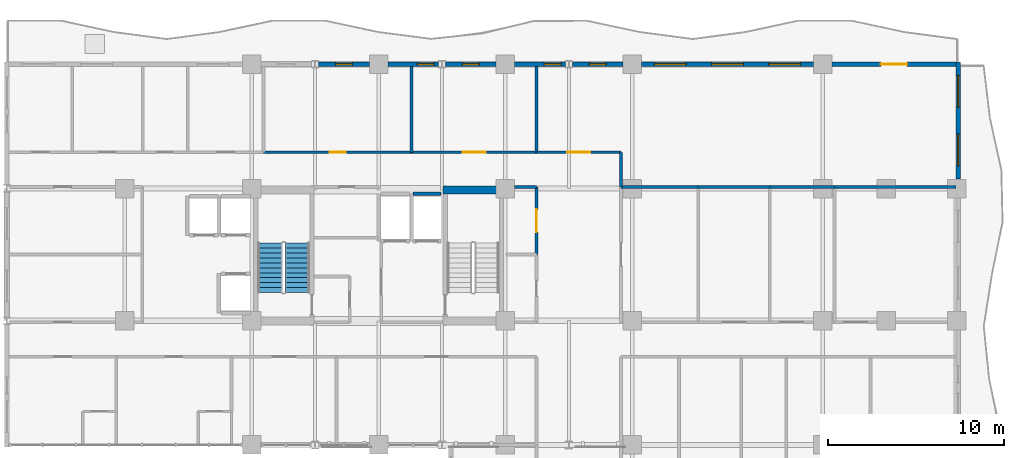
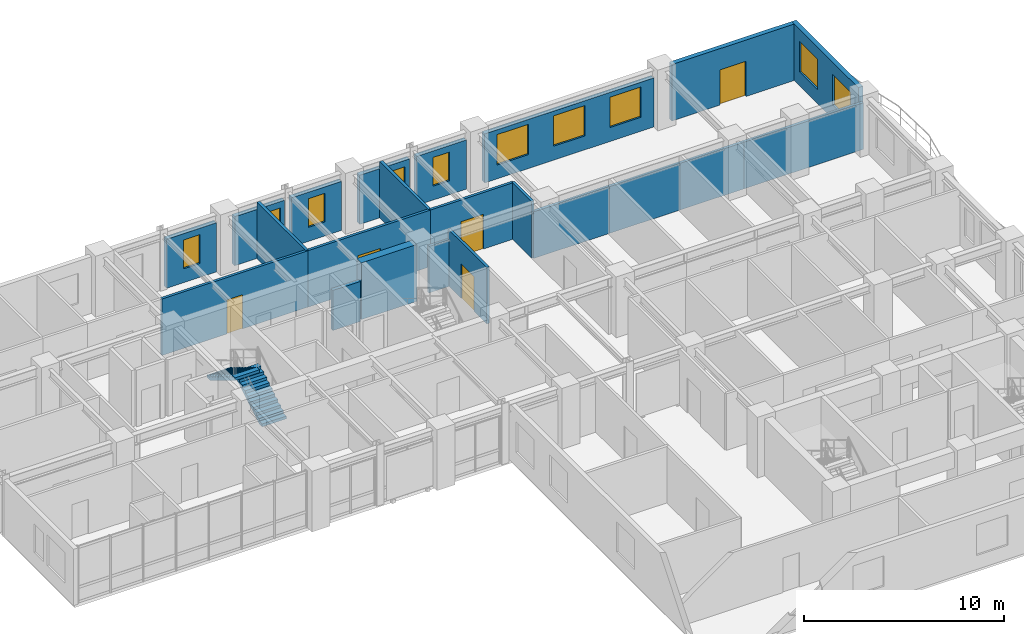
# One storey, part 13 of 17: 22 walls, 10 windows, 5 doors, 2 stair flights, 15 openings, 1 element without a shape of its own.
"""IFC4 building model written with IfcOpenShell, lengths in metres."""

from ifc_helpers import new_model, si_unit, direction, frame, frame_2d, origin, place, context, subcontext, project, spatial, polyline, rectangle, outline, extrude, material, layer, layer_set, type_object, element, fill, aggregate, save


model = new_model("IFC4")

# Units and contexts
model_context = context("Model", 3, precision=1e-05, world=origin(), true_north=direction((0.0, 1.0)))
body_context = subcontext(model_context, "Body", "Model", "MODEL_VIEW")
ifc_project = project(units=[si_unit("LENGTHUNIT", "METRE"), si_unit("AREAUNIT", "SQUARE_METRE"), si_unit("VOLUMEUNIT", "CUBIC_METRE"), si_unit("PLANEANGLEUNIT", "RADIAN"), si_unit("MASSUNIT", "GRAM", prefix="KILO")], contexts=[model_context])

# Site, building, storey
site_placement = place(None, origin())
site = spatial("IfcSite", under=ifc_project, at=site_placement, CompositionType="ELEMENT")
building_placement = place(site_placement, origin())
building = spatial("IfcBuilding", under=site, at=building_placement, Name="Kaliganga Portal Commons", CompositionType="ELEMENT")
storey_placement = place(building_placement, frame((0.0, 0.0, 143.89990234375)))
storey = spatial("IfcBuildingStorey", under=building, at=storey_placement, Name="L36", CompositionType="ELEMENT", Elevation=143.89990234375)

# Wall
ifc_material_1 = material(Name="Concrete C60/75", Category="concrete")
ifc_layer_1 = layer(ifc_material_1, 0.449951171875)
ifc_layer_set_1 = layer_set([ifc_layer_1], Name="Concrete C60/75")
wall_type_1 = type_object("IfcWallType", Name="WL-CORE-450", PredefinedType="SHEAR", material=ifc_layer_set_1)
wall_1_placement = place(storey_placement, frame((25.25, 36.074951171875, 0.0), z_axis=(0.0, 0.0, 1.0), x_axis=(1.0, 0.0, 0.0)))
element("IfcWall", 1, at=wall_1_placement, inside=storey, type_object=wall_type_1, Name="Core A N-East Shear Wall L36", PredefinedType="SHEAR", context=body_context, shape_type="SweptSolid", body=[
    extrude(rectangle(XDim=3.199951171875, YDim=0.449951171875, at=frame_2d((1.60009765625, 0.0))), origin(), (0.0, 0.0, 1.0), 3.460205078125),
])

# Wall, openings, windows
ifc_material_2 = material(Name="Insulated Aluminium-Clad Spandrel Assembly", Category="aluminium")
ifc_layer_2 = layer(ifc_material_2, 0.260009765625)
ifc_layer_set_2 = layer_set([ifc_layer_2], Name="Insulated Aluminium-Clad Spandrel Assembly")
wall_type_2 = type_object("IfcWallType", Name="WL-EXT-SPAND-260", PredefinedType="STANDARD", material=ifc_layer_set_2)
wall_2_placement = place(storey_placement, frame((54.5, 43.330078125, 0.0), z_axis=(0.0, 0.0, 1.0), x_axis=(0.0, -1.0, 0.0)))
wall_2 = element("IfcWall", 2, at=wall_2_placement, inside=storey, type_object=wall_type_2, Name="Exterior Envelope Wall L36 P1-E01-S6", PredefinedType="STANDARD", context=body_context, shape_type="SweptSolid", body=[
    extrude(rectangle(XDim=6.654052734375, YDim=0.260009765625, at=frame_2d((3.3271484375, 0.0))), origin(), (0.0, 0.0, 1.0), 3.440185546875),
])
opening_1_placement = place(wall_2_placement, frame((0.763427734375, 0.0, 0.85009765625)))
opening_1 = element("IfcOpeningElement", 3, at=opening_1_placement, cuts=wall_2, Name="Opening W-01", PredefinedType="OPENING", context=body_context, shape_type="SweptSolid", body=[
    extrude(rectangle(XDim=1.800048828125, YDim=1.85009765625, at=frame_2d((0.89990234375, 0.925048828125))), frame((0.0, 0.14013671875, 0.0), z_axis=(0.0, -1.0, 0.0), x_axis=(1.0, 0.0, 0.0)), (0.0, 0.0, 1.0), 0.280029296875),
])
opening_2_placement = place(wall_2_placement, frame((4.090576171875, 0.0, 0.85009765625)))
opening_2 = element("IfcOpeningElement", 4, at=opening_2_placement, cuts=wall_2, Name="Opening W-01", PredefinedType="OPENING", context=body_context, shape_type="SweptSolid", body=[
    extrude(rectangle(XDim=1.800048828125, YDim=1.85009765625, at=frame_2d((0.89990234375, 0.925048828125))), frame((0.0, 0.14013671875, 0.0), z_axis=(0.0, -1.0, 0.0), x_axis=(1.0, 0.0, 0.0)), (0.0, 0.0, 1.0), 0.280029296875),
])
ifc_material_3 = material(Name="Thermally Broken Aluminium and Low-E Double Glazing", Category="aluminium")
window_type_1 = type_object("IfcWindowType", Name="WIN-STD-1800", PartitioningType="DOUBLE_PANEL_VERTICAL", PredefinedType="WINDOW", material=ifc_material_3)
window_1_placement = place(opening_1_placement, origin())
window_1 = element("IfcWindow", 5, at=window_1_placement, inside=storey, type_object=window_type_1, Name="Facade Window L36-P1E01S6-00", OverallHeight=1.85009765625, OverallWidth=1.800048828125, PartitioningType="SINGLE_PANEL", PredefinedType="WINDOW", context=body_context, shape_type="SweptSolid", body=[
    extrude(rectangle(XDim=1.800048828125, YDim=1.85009765625, at=frame_2d((0.89990234375, 0.925048828125))), frame((0.0, 0.030029296875, 0.0), z_axis=(0.0, -1.0, 0.0), x_axis=(1.0, 0.0, 0.0)), (0.0, 0.0, 1.0), 0.06005859375),
])
fill(opening_1, window_1)
window_2_placement = place(opening_2_placement, origin())
window_2 = element("IfcWindow", 6, at=window_2_placement, inside=storey, type_object=window_type_1, Name="Facade Window L36-P1E01S6-01", OverallHeight=1.85009765625, OverallWidth=1.800048828125, PartitioningType="SINGLE_PANEL", PredefinedType="WINDOW", context=body_context, shape_type="SweptSolid", body=[
    extrude(rectangle(XDim=1.800048828125, YDim=1.85009765625, at=frame_2d((0.89990234375, 0.925048828125))), frame((0.0, 0.030029296875, 0.0), z_axis=(0.0, -1.0, 0.0), x_axis=(1.0, 0.0, 0.0)), (0.0, 0.0, 1.0), 0.06005859375),
])
fill(opening_2, window_2)

# Wall, opening, door
wall_3_placement = place(storey_placement, frame((47.325927734375, 43.199951171875, 0.0), z_axis=(0.0, 0.0, 1.0), x_axis=(1.0, 0.0, 0.0)))
wall_3 = element("IfcWall", 7, at=wall_3_placement, inside=storey, type_object=wall_type_2, Name="Exterior Envelope Wall L36 P1-E02-S1", PredefinedType="STANDARD", context=body_context, shape_type="SweptSolid", body=[
    extrude(rectangle(XDim=7.0390625, YDim=0.260009765625, at=frame_2d((3.51953125, 0.0))), origin(), (0.0, 0.0, 1.0), 3.440185546875),
])
opening_3_placement = place(wall_3_placement, frame((2.77001953125, 0.0, 0.0)))
opening_3 = element("IfcOpeningElement", 8, at=opening_3_placement, cuts=wall_3, Name="Opening BD-01", PredefinedType="OPENING", context=body_context, shape_type="SweptSolid", body=[
    extrude(rectangle(XDim=1.5, YDim=2.14990234375, at=frame_2d((0.75, 1.074951171875))), frame((0.0, 0.14013671875, 0.0), z_axis=(0.0, -1.0, 0.0), x_axis=(1.0, 0.0, 0.0)), (0.0, 0.0, 1.0), 0.280029296875),
])
ifc_material_4 = material(Name="Anodized Aluminium and Laminated Safety Glass", Category="aluminium")
door_type_1 = type_object("IfcDoorType", Name="DR-BALC-1500", OperationType="SLIDING_TO_LEFT", PredefinedType="DOOR", material=ifc_material_4)
door_1_placement = place(opening_3_placement, origin())
door_1 = element("IfcDoor", 9, at=door_1_placement, inside=storey, type_object=door_type_1, Name="Balcony Sliding Door L36 balc_north", OperationType="SLIDING_TO_LEFT", OverallHeight=2.14990234375, OverallWidth=1.5, PredefinedType="DOOR", context=body_context, shape_type="SweptSolid", body=[
    extrude(rectangle(XDim=1.5, YDim=2.14990234375, at=frame_2d((0.75, 1.074951171875))), frame((0.0, 0.02490234375, 0.0), z_axis=(0.0, -1.0, 0.0), x_axis=(1.0, 0.0, 0.0)), (0.0, 0.0, 1.0), 0.050048828125),
])
fill(opening_3, door_1)

# Wall, openings, windows
wall_4_placement = place(storey_placement, frame((36.52587890625, 43.199951171875, 0.0), z_axis=(0.0, 0.0, 1.0), x_axis=(1.0, 0.0, 0.0)))
wall_4 = element("IfcWall", 10, at=wall_4_placement, inside=storey, type_object=wall_type_2, Name="Exterior Envelope Wall L36 P1-E02-S2", PredefinedType="STANDARD", context=body_context, shape_type="SweptSolid", body=[
    extrude(rectangle(XDim=9.748046875, YDim=0.260009765625, at=frame_2d((4.8740234375, 0.0))), origin(), (0.0, 0.0, 1.0), 2.989990234375),
])
opening_4_placement = place(wall_4_placement, frame((0.724609375, 0.0, 0.85009765625)))
opening_4 = element("IfcOpeningElement", 11, at=opening_4_placement, cuts=wall_4, Name="Opening W-01", PredefinedType="OPENING", context=body_context, shape_type="SweptSolid", body=[
    extrude(rectangle(XDim=1.800048828125, YDim=1.85009765625, at=frame_2d((0.89990234375, 0.925048828125))), frame((0.0, 0.14013671875, 0.0), z_axis=(0.0, -1.0, 0.0), x_axis=(1.0, 0.0, 0.0)), (0.0, 0.0, 1.0), 0.280029296875),
])
opening_5_placement = place(wall_4_placement, frame((3.97412109375, 0.0, 0.85009765625)))
opening_5 = element("IfcOpeningElement", 12, at=opening_5_placement, cuts=wall_4, Name="Opening W-01", PredefinedType="OPENING", context=body_context, shape_type="SweptSolid", body=[
    extrude(rectangle(XDim=1.800048828125, YDim=1.85009765625, at=frame_2d((0.89990234375, 0.925048828125))), frame((0.0, 0.14013671875, 0.0), z_axis=(0.0, -1.0, 0.0), x_axis=(1.0, 0.0, 0.0)), (0.0, 0.0, 1.0), 0.280029296875),
])
opening_6_placement = place(wall_4_placement, frame((7.223388671875, 0.0, 0.85009765625)))
opening_6 = element("IfcOpeningElement", 13, at=opening_6_placement, cuts=wall_4, Name="Opening W-01", PredefinedType="OPENING", context=body_context, shape_type="SweptSolid", body=[
    extrude(rectangle(XDim=1.800048828125, YDim=1.85009765625, at=frame_2d((0.89990234375, 0.925048828125))), frame((0.0, 0.14013671875, 0.0), z_axis=(0.0, -1.0, 0.0), x_axis=(1.0, 0.0, 0.0)), (0.0, 0.0, 1.0), 0.280029296875),
])
window_3_placement = place(opening_4_placement, origin())
window_3 = element("IfcWindow", 14, at=window_3_placement, inside=storey, type_object=window_type_1, Name="Facade Window L36-P1E02S2-00", OverallHeight=1.85009765625, OverallWidth=1.800048828125, PartitioningType="SINGLE_PANEL", PredefinedType="WINDOW", context=body_context, shape_type="SweptSolid", body=[
    extrude(rectangle(XDim=1.800048828125, YDim=1.85009765625, at=frame_2d((0.89990234375, 0.925048828125))), frame((0.0, 0.030029296875, 0.0), z_axis=(0.0, -1.0, 0.0), x_axis=(1.0, 0.0, 0.0)), (0.0, 0.0, 1.0), 0.06005859375),
])
fill(opening_4, window_3)
window_4_placement = place(opening_5_placement, origin())
window_4 = element("IfcWindow", 15, at=window_4_placement, inside=storey, type_object=window_type_1, Name="Facade Window L36-P1E02S2-01", OverallHeight=1.85009765625, OverallWidth=1.800048828125, PartitioningType="SINGLE_PANEL", PredefinedType="WINDOW", context=body_context, shape_type="SweptSolid", body=[
    extrude(rectangle(XDim=1.800048828125, YDim=1.85009765625, at=frame_2d((0.89990234375, 0.925048828125))), frame((0.0, 0.030029296875, 0.0), z_axis=(0.0, -1.0, 0.0), x_axis=(1.0, 0.0, 0.0)), (0.0, 0.0, 1.0), 0.06005859375),
])
fill(opening_5, window_4)
window_5_placement = place(opening_6_placement, origin())
window_5 = element("IfcWindow", 16, at=window_5_placement, inside=storey, type_object=window_type_1, Name="Facade Window L36-P1E02S2-02", OverallHeight=1.85009765625, OverallWidth=1.800048828125, PartitioningType="SINGLE_PANEL", PredefinedType="WINDOW", context=body_context, shape_type="SweptSolid", body=[
    extrude(rectangle(XDim=1.800048828125, YDim=1.85009765625, at=frame_2d((0.89990234375, 0.925048828125))), frame((0.0, 0.030029296875, 0.0), z_axis=(0.0, -1.0, 0.0), x_axis=(1.0, 0.0, 0.0)), (0.0, 0.0, 1.0), 0.06005859375),
])
fill(opening_6, window_5)

# Wall, opening, window
wall_5_placement = place(storey_placement, frame((32.60302734375, 43.199951171875, 0.0), z_axis=(0.0, 0.0, 1.0), x_axis=(1.0, 0.0, 0.0)))
wall_5 = element("IfcWall", 17, at=wall_5_placement, inside=storey, type_object=wall_type_2, Name="Exterior Envelope Wall L36 P1-E02-S3", PredefinedType="STANDARD", context=body_context, shape_type="SweptSolid", body=[
    extrude(rectangle(XDim=2.87109375, YDim=0.260009765625, at=frame_2d((1.435546875, 0.0))), origin(), (0.0, 0.0, 1.0), 2.989990234375),
])
opening_7_placement = place(wall_5_placement, frame((0.96044921875, 0.0, 0.85009765625)))
opening_7 = element("IfcOpeningElement", 18, at=opening_7_placement, cuts=wall_5, Name="Opening W-04", PredefinedType="OPENING", context=body_context, shape_type="SweptSolid", body=[
    extrude(rectangle(XDim=0.949951171875, YDim=1.75, at=frame_2d((0.47509765625, 0.875))), frame((0.0, 0.14013671875, 0.0), z_axis=(0.0, -1.0, 0.0), x_axis=(1.0, 0.0, 0.0)), (0.0, 0.0, 1.0), 0.280029296875),
])
window_type_2 = type_object("IfcWindowType", Name="WIN-NARROW-950", PartitioningType="SINGLE_PANEL", PredefinedType="WINDOW", material=ifc_material_3)
window_6_placement = place(opening_7_placement, origin())
window_6 = element("IfcWindow", 19, at=window_6_placement, inside=storey, type_object=window_type_2, Name="Facade Window L36-P1E02S3-00", OverallHeight=1.75, OverallWidth=0.949951171875, PartitioningType="SINGLE_PANEL", PredefinedType="WINDOW", context=body_context, shape_type="SweptSolid", body=[
    extrude(rectangle(XDim=0.949951171875, YDim=1.75, at=frame_2d((0.47509765625, 0.875))), frame((0.0, 0.030029296875, 0.0), z_axis=(0.0, -1.0, 0.0), x_axis=(1.0, 0.0, 0.0)), (0.0, 0.0, 1.0), 0.06005859375),
])
fill(opening_7, window_6)

wall_6_placement = place(storey_placement, frame((29.325927734375, 43.199951171875, 0.0), z_axis=(0.0, 0.0, 1.0), x_axis=(1.0, 0.0, 0.0)))
wall_6 = element("IfcWall", 20, at=wall_6_placement, inside=storey, type_object=wall_type_2, Name="Exterior Envelope Wall L36 P1-E02-S4", PredefinedType="STANDARD", context=body_context, shape_type="SweptSolid", body=[
    extrude(rectangle(XDim=2.87109375, YDim=0.260009765625, at=frame_2d((1.435546875, 0.0))), origin(), (0.0, 0.0, 1.0), 2.989990234375),
])
opening_8_placement = place(wall_6_placement, frame((1.672607421875, 0.0, 0.85009765625)))
opening_8 = element("IfcOpeningElement", 21, at=opening_8_placement, cuts=wall_6, Name="Opening W-04", PredefinedType="OPENING", context=body_context, shape_type="SweptSolid", body=[
    extrude(rectangle(XDim=0.949951171875, YDim=1.75, at=frame_2d((0.47509765625, 0.875))), frame((0.0, 0.14013671875, 0.0), z_axis=(0.0, -1.0, 0.0), x_axis=(1.0, 0.0, 0.0)), (0.0, 0.0, 1.0), 0.280029296875),
])
window_7_placement = place(opening_8_placement, origin())
window_7 = element("IfcWindow", 22, at=window_7_placement, inside=storey, type_object=window_type_2, Name="Facade Window L36-P1E02S4-N2", OverallHeight=1.75, OverallWidth=0.949951171875, PartitioningType="SINGLE_PANEL", PredefinedType="WINDOW", context=body_context, shape_type="SweptSolid", body=[
    extrude(rectangle(XDim=0.949951171875, YDim=1.75, at=frame_2d((0.47509765625, 0.875))), frame((0.0, 0.030029296875, 0.0), z_axis=(0.0, -1.0, 0.0), x_axis=(1.0, 0.0, 0.0)), (0.0, 0.0, 1.0), 0.06005859375),
])
fill(opening_8, window_7)

wall_7_placement = place(storey_placement, frame((25.403076171875, 43.199951171875, 0.0), z_axis=(0.0, 0.0, 1.0), x_axis=(1.0, 0.0, 0.0)))
wall_7 = element("IfcWall", 23, at=wall_7_placement, inside=storey, type_object=wall_type_2, Name="Exterior Envelope Wall L36 P1-E02-S5", PredefinedType="STANDARD", context=body_context, shape_type="SweptSolid", body=[
    extrude(rectangle(XDim=2.870849609375, YDim=0.260009765625, at=frame_2d((1.435546875, 0.0))), origin(), (0.0, 0.0, 1.0), 2.989990234375),
])
opening_9_placement = place(wall_7_placement, frame((0.96044921875, 0.0, 0.85009765625)))
opening_9 = element("IfcOpeningElement", 24, at=opening_9_placement, cuts=wall_7, Name="Opening W-04", PredefinedType="OPENING", context=body_context, shape_type="SweptSolid", body=[
    extrude(rectangle(XDim=0.949951171875, YDim=1.75, at=frame_2d((0.47509765625, 0.875))), frame((0.0, 0.14013671875, 0.0), z_axis=(0.0, -1.0, 0.0), x_axis=(1.0, 0.0, 0.0)), (0.0, 0.0, 1.0), 0.280029296875),
])
window_8_placement = place(opening_9_placement, origin())
window_8 = element("IfcWindow", 25, at=window_8_placement, inside=storey, type_object=window_type_2, Name="Facade Window L36-P1E02S5-00", OverallHeight=1.75, OverallWidth=0.949951171875, PartitioningType="SINGLE_PANEL", PredefinedType="WINDOW", context=body_context, shape_type="SweptSolid", body=[
    extrude(rectangle(XDim=0.949951171875, YDim=1.75, at=frame_2d((0.47509765625, 0.875))), frame((0.0, 0.030029296875, 0.0), z_axis=(0.0, -1.0, 0.0), x_axis=(1.0, 0.0, 0.0)), (0.0, 0.0, 1.0), 0.06005859375),
])
fill(opening_9, window_8)

wall_8_placement = place(storey_placement, frame((22.1259765625, 43.199951171875, 0.0), z_axis=(0.0, 0.0, 1.0), x_axis=(1.0, 0.0, 0.0)))
wall_8 = element("IfcWall", 26, at=wall_8_placement, inside=storey, type_object=wall_type_2, Name="Exterior Envelope Wall L36 P1-E02-S6", PredefinedType="STANDARD", context=body_context, shape_type="SweptSolid", body=[
    extrude(rectangle(XDim=2.87109375, YDim=0.260009765625, at=frame_2d((1.435546875, 0.0))), origin(), (0.0, 0.0, 1.0), 2.989990234375),
])
opening_10_placement = place(wall_8_placement, frame((1.672607421875, 0.0, 0.85009765625)))
opening_10 = element("IfcOpeningElement", 27, at=opening_10_placement, cuts=wall_8, Name="Opening W-04", PredefinedType="OPENING", context=body_context, shape_type="SweptSolid", body=[
    extrude(rectangle(XDim=0.949951171875, YDim=1.75, at=frame_2d((0.47509765625, 0.875))), frame((0.0, 0.14013671875, 0.0), z_axis=(0.0, -1.0, 0.0), x_axis=(1.0, 0.0, 0.0)), (0.0, 0.0, 1.0), 0.280029296875),
])
window_9_placement = place(opening_10_placement, origin())
window_9 = element("IfcWindow", 28, at=window_9_placement, inside=storey, type_object=window_type_2, Name="Facade Window L36-P1E02S6-N2", OverallHeight=1.75, OverallWidth=0.949951171875, PartitioningType="SINGLE_PANEL", PredefinedType="WINDOW", context=body_context, shape_type="SweptSolid", body=[
    extrude(rectangle(XDim=0.949951171875, YDim=1.75, at=frame_2d((0.47509765625, 0.875))), frame((0.0, 0.030029296875, 0.0), z_axis=(0.0, -1.0, 0.0), x_axis=(1.0, 0.0, 0.0)), (0.0, 0.0, 1.0), 0.06005859375),
])
fill(opening_10, window_9)

wall_9_placement = place(storey_placement, frame((18.202880859375, 43.199951171875, 0.0), z_axis=(0.0, 0.0, 1.0), x_axis=(1.0, 0.0, 0.0)))
wall_9 = element("IfcWall", 29, at=wall_9_placement, inside=storey, type_object=wall_type_2, Name="Exterior Envelope Wall L36 P1-E02-S7", PredefinedType="STANDARD", context=body_context, shape_type="SweptSolid", body=[
    extrude(rectangle(XDim=2.87109375, YDim=0.260009765625, at=frame_2d((1.435546875, 0.0))), origin(), (0.0, 0.0, 1.0), 2.989990234375),
])
opening_11_placement = place(wall_9_placement, frame((0.96044921875, 0.0, 0.85009765625)))
opening_11 = element("IfcOpeningElement", 30, at=opening_11_placement, cuts=wall_9, Name="Opening W-04", PredefinedType="OPENING", context=body_context, shape_type="SweptSolid", body=[
    extrude(rectangle(XDim=0.949951171875, YDim=1.75, at=frame_2d((0.47509765625, 0.875))), frame((0.0, 0.14013671875, 0.0), z_axis=(0.0, -1.0, 0.0), x_axis=(1.0, 0.0, 0.0)), (0.0, 0.0, 1.0), 0.280029296875),
])
window_10_placement = place(opening_11_placement, origin())
window_10 = element("IfcWindow", 31, at=window_10_placement, inside=storey, type_object=window_type_2, Name="Facade Window L36-P1E02S7-00", OverallHeight=1.75, OverallWidth=0.949951171875, PartitioningType="SINGLE_PANEL", PredefinedType="WINDOW", context=body_context, shape_type="SweptSolid", body=[
    extrude(rectangle(XDim=0.949951171875, YDim=1.75, at=frame_2d((0.47509765625, 0.875))), frame((0.0, 0.030029296875, 0.0), z_axis=(0.0, -1.0, 0.0), x_axis=(1.0, 0.0, 0.0)), (0.0, 0.0, 1.0), 0.06005859375),
])
fill(opening_11, window_10)

# Wall, opening, door
ifc_material_5 = material(Name="Fire-Rated Gypsum Board on Steel Stud", Category="steel")
ifc_layer_3 = layer(ifc_material_5, 0.14990234375)
ifc_layer_set_3 = layer_set([ifc_layer_3], Name="Fire-Rated Gypsum Board on Steel Stud")
wall_type_3 = type_object("IfcWallType", Name="WL-PART-CORR-150", PredefinedType="PARTITIONING", material=ifc_layer_set_3)
wall_10_placement = place(storey_placement, frame((15.080078125, 38.199951171875, 0.0), z_axis=(0.0, 0.0, 1.0), x_axis=(1.0, 0.0, 0.0)))
wall_10 = element("IfcWall", 32, at=wall_10_placement, inside=storey, type_object=wall_type_3, Name="Interior Partition L36-011", PredefinedType="PARTITIONING", context=body_context, shape_type="SweptSolid", body=[
    extrude(rectangle(XDim=8.39990234375, YDim=0.14990234375, at=frame_2d((4.199951171875, 0.0))), origin(), (0.0, 0.0, 1.0), 3.440185546875),
])
opening_12_placement = place(wall_10_placement, frame((3.75, 0.0, 0.0)))
opening_12 = element("IfcOpeningElement", 33, at=opening_12_placement, cuts=wall_10, Name="Opening RD-01", PredefinedType="OPENING", context=body_context, shape_type="SweptSolid", body=[
    extrude(rectangle(XDim=0.89990234375, YDim=2.080078125, at=frame_2d((0.449951171875, 1.0400390625))), frame((0.0, 0.0849609375, 0.0), z_axis=(0.0, -1.0, 0.0), x_axis=(1.0, 0.0, 0.0)), (0.0, 0.0, 1.0), 0.169921875),
])
ifc_material_6 = material(Name="Engineered Timber Flush Door", Category="wood")
door_type_2 = type_object("IfcDoorType", Name="DR-ROOM-900", OperationType="NOTDEFINED", PredefinedType="DOOR", material=ifc_material_6)
door_2_placement = place(opening_12_placement, origin())
door_2 = element("IfcDoor", 34, at=door_2_placement, inside=storey, type_object=door_type_2, Name="Interior Door L36-AN05", OperationType="SINGLE_SWING_LEFT", OverallHeight=2.080078125, OverallWidth=0.89990234375, PredefinedType="DOOR", context=body_context, shape_type="SweptSolid", body=[
    extrude(rectangle(XDim=0.89990234375, YDim=2.080078125, at=frame_2d((0.449951171875, 1.0400390625))), frame((0.0, 0.02490234375, 0.0), z_axis=(0.0, -1.0, 0.0), x_axis=(1.0, 0.0, 0.0)), (0.0, 0.0, 1.0), 0.050048828125),
])
fill(opening_12, door_2)

wall_11_placement = place(storey_placement, frame((23.47998046875, 38.199951171875, 0.0), z_axis=(0.0, 0.0, 1.0), x_axis=(1.0, 0.0, 0.0)))
wall_11 = element("IfcWall", 35, at=wall_11_placement, inside=storey, type_object=wall_type_3, Name="Interior Partition L36-019", PredefinedType="PARTITIONING", context=body_context, shape_type="SweptSolid", body=[
    extrude(rectangle(XDim=7.080078125, YDim=0.14990234375, at=frame_2d((3.5400390625, 0.0))), origin(), (0.0, 0.0, 1.0), 3.440185546875),
])
opening_13_placement = place(wall_11_placement, frame((2.889892578125, 0.0, 0.0)))
opening_13 = element("IfcOpeningElement", 36, at=opening_13_placement, cuts=wall_11, Name="Opening RD-03", PredefinedType="OPENING", context=body_context, shape_type="SweptSolid", body=[
    extrude(rectangle(XDim=1.300048828125, YDim=2.1201171875, at=frame_2d((0.64990234375, 1.06005859375))), frame((0.0, 0.0849609375, 0.0), z_axis=(0.0, -1.0, 0.0), x_axis=(1.0, 0.0, 0.0)), (0.0, 0.0, 1.0), 0.169921875),
])
ifc_material_7 = material(Name="Glazed Timber Seminar Vision Door", Category="wood")
door_type_3 = type_object("IfcDoorType", Name="DR-STUDY-1300", OperationType="DOUBLE_DOOR_SINGLE_SWING", PredefinedType="DOOR", material=ifc_material_7)
door_3_placement = place(opening_13_placement, origin())
door_3 = element("IfcDoor", 37, at=door_3_placement, inside=storey, type_object=door_type_3, Name="Interior Door L36-AN06", OperationType="DOUBLE_DOOR_SINGLE_SWING", OverallHeight=2.1201171875, OverallWidth=1.300048828125, PredefinedType="DOOR", context=body_context, shape_type="SweptSolid", body=[
    extrude(rectangle(XDim=1.300048828125, YDim=2.1201171875, at=frame_2d((0.64990234375, 1.06005859375))), frame((0.0, 0.02490234375, 0.0), z_axis=(0.0, -1.0, 0.0), x_axis=(1.0, 0.0, 0.0)), (0.0, 0.0, 1.0), 0.050048828125),
])
fill(opening_13, door_3)

wall_12_placement = place(storey_placement, frame((30.56005859375, 38.199951171875, 0.0), z_axis=(0.0, 0.0, 1.0), x_axis=(1.0, 0.0, 0.0)))
wall_12 = element("IfcWall", 38, at=wall_12_placement, inside=storey, type_object=wall_type_3, Name="Interior Partition L36-031", PredefinedType="PARTITIONING", context=body_context, shape_type="SweptSolid", body=[
    extrude(rectangle(XDim=4.800048828125, YDim=0.14990234375, at=frame_2d((2.39990234375, 0.0))), origin(), (0.0, 0.0, 1.0), 3.440185546875),
])
opening_14_placement = place(wall_12_placement, frame((1.75, 0.0, 0.0)))
opening_14 = element("IfcOpeningElement", 39, at=opening_14_placement, cuts=wall_12, Name="Opening RD-03", PredefinedType="OPENING", context=body_context, shape_type="SweptSolid", body=[
    extrude(rectangle(XDim=1.300048828125, YDim=2.1201171875, at=frame_2d((0.64990234375, 1.06005859375))), frame((0.0, 0.0849609375, 0.0), z_axis=(0.0, -1.0, 0.0), x_axis=(1.0, 0.0, 0.0)), (0.0, 0.0, 1.0), 0.169921875),
])
door_4_placement = place(opening_14_placement, origin())
door_4 = element("IfcDoor", 40, at=door_4_placement, inside=storey, type_object=door_type_3, Name="Interior Door L36-ANE01", OperationType="DOUBLE_DOOR_SINGLE_SWING", OverallHeight=2.1201171875, OverallWidth=1.300048828125, PredefinedType="DOOR", context=body_context, shape_type="SweptSolid", body=[
    extrude(rectangle(XDim=1.300048828125, YDim=2.1201171875, at=frame_2d((0.64990234375, 1.06005859375))), frame((0.0, 0.02490234375, 0.0), z_axis=(0.0, -1.0, 0.0), x_axis=(1.0, 0.0, 0.0)), (0.0, 0.0, 1.0), 0.050048828125),
])
fill(opening_14, door_4)

wall_13_placement = place(storey_placement, frame((30.56005859375, 32.39990234375, 0.0), z_axis=(0.0, 0.0, 1.0), x_axis=(0.0, 1.0, 0.0)))
wall_13 = element("IfcWall", 41, at=wall_13_placement, inside=storey, type_object=wall_type_3, Name="Interior Partition L36-039", PredefinedType="PARTITIONING", context=body_context, shape_type="SweptSolid", body=[
    extrude(rectangle(XDim=3.840087890625, YDim=0.14990234375, at=frame_2d((1.919921875, 0.0))), origin(), (0.0, 0.0, 1.0), 3.440185546875),
])
opening_15_placement = place(wall_13_placement, frame((1.27001953125, 0.0, 0.0)))
opening_15 = element("IfcOpeningElement", 42, at=opening_15_placement, cuts=wall_13, Name="Opening RD-03", PredefinedType="OPENING", context=body_context, shape_type="SweptSolid", body=[
    extrude(rectangle(XDim=1.300048828125, YDim=2.1201171875, at=frame_2d((0.64990234375, 1.06005859375))), frame((0.0, 0.0849609375, 0.0), z_axis=(0.0, -1.0, 0.0), x_axis=(1.0, 0.0, 0.0)), (0.0, 0.0, 1.0), 0.169921875),
])
door_5_placement = place(opening_15_placement, origin())
door_5 = element("IfcDoor", 43, at=door_5_placement, inside=storey, type_object=door_type_3, Name="Interior Door L36-CSRV_A2", OperationType="DOUBLE_DOOR_SINGLE_SWING", OverallHeight=2.1201171875, OverallWidth=1.300048828125, PredefinedType="DOOR", context=body_context, shape_type="SweptSolid", body=[
    extrude(rectangle(XDim=1.300048828125, YDim=2.1201171875, at=frame_2d((0.64990234375, 1.06005859375))), frame((0.0, 0.02490234375, 0.0), z_axis=(0.0, -1.0, 0.0), x_axis=(1.0, 0.0, 0.0)), (0.0, 0.0, 1.0), 0.050048828125),
])
fill(opening_15, door_5)

# Walls
wall_14_placement = place(storey_placement, frame((35.360107421875, 36.239990234375, 0.0), z_axis=(0.0, 0.0, 1.0), x_axis=(0.0, 1.0, 0.0)))
element("IfcWall", 44, at=wall_14_placement, inside=storey, type_object=wall_type_3, Name="Interior Partition L36-057", PredefinedType="PARTITIONING", context=body_context, shape_type="SweptSolid", body=[
    extrude(rectangle(XDim=1.9599609375, YDim=0.14990234375, at=frame_2d((0.97998046875, 0.0))), origin(), (0.0, 0.0, 1.0), 3.440185546875),
])
wall_15_placement = place(storey_placement, frame((29.324951171875, 36.239990234375, 0.0), z_axis=(0.0, 0.0, 1.0), x_axis=(1.0, 0.0, 0.0)))
element("IfcWall", 45, at=wall_15_placement, inside=storey, type_object=wall_type_3, Name="Interior Partition L36-059", PredefinedType="PARTITIONING", context=body_context, shape_type="SweptSolid", body=[
    extrude(rectangle(XDim=1.235107421875, YDim=0.14990234375, at=frame_2d((0.61767578125, 0.0))), origin(), (0.0, 0.0, 1.0), 2.840087890625),
])
ifc_material_8 = material(Name="Twin-Stud Acoustic Gypsum Partition", Category="gypsum")
ifc_layer_4 = layer(ifc_material_8, 0.1650390625)
ifc_layer_set_4 = layer_set([ifc_layer_4], Name="Twin-Stud Acoustic Gypsum Partition")
wall_type_4 = type_object("IfcWallType", Name="WL-PART-UNIT-165", PredefinedType="PARTITIONING", material=ifc_layer_set_4)
wall_16_placement = place(storey_placement, frame((47.47998046875, 36.239990234375, 0.0), z_axis=(0.0, 0.0, 1.0), x_axis=(1.0, 0.0, 0.0)))
element("IfcWall", 46, at=wall_16_placement, inside=storey, type_object=wall_type_4, Name="Interior Partition L36-069", PredefinedType="PARTITIONING", context=body_context, shape_type="SweptSolid", body=[
    extrude(rectangle(XDim=6.887939453125, YDim=0.1650390625, at=frame_2d((3.44384765625, 0.0))), origin(), (0.0, 0.0, 1.0), 2.840087890625),
])
for number, where, z_axis, x_axis, name in (
    (47, (23.47998046875, 38.199951171875, 0.0), (0.0, 0.0, 1.0), (0.0, 1.0, 0.0), "Interior Partition L36-075"),
    (48, (30.56005859375, 38.199951171875, 0.0), (0.0, 0.0, 1.0), (0.0, 1.0, 0.0), "Interior Partition L36-076"),
):
    element("IfcWall", number, at=place(storey_placement, frame(where, z_axis=z_axis, x_axis=x_axis)), inside=storey, type_object=wall_type_4, Name=name, PredefinedType="PARTITIONING", context=body_context, shape_type="SweptSolid", body=[
        extrude(rectangle(XDim=4.8681640625, YDim=0.1650390625, at=frame_2d((2.43408203125, 0.0))), origin(), (0.0, 0.0, 1.0), 3.440185546875),
    ])
wall_17_placement = place(storey_placement, frame((35.360107421875, 36.239990234375, 0.0), z_axis=(0.0, 0.0, 1.0), x_axis=(1.0, 0.0, 0.0)))
element("IfcWall", 49, at=wall_17_placement, inside=storey, type_object=wall_type_4, Name="Interior Partition L36-080", PredefinedType="PARTITIONING", context=body_context, shape_type="SweptSolid", body=[
    extrude(rectangle(XDim=4.3798828125, YDim=0.1650390625, at=frame_2d((2.18994140625, 0.0))), origin(), (0.0, 0.0, 1.0), 2.840087890625),
])
wall_18_placement = place(storey_placement, frame((39.739990234375, 36.239990234375, 0.0), z_axis=(0.0, 0.0, 1.0), x_axis=(1.0, 0.0, 0.0)))
element("IfcWall", 50, at=wall_18_placement, inside=storey, type_object=wall_type_4, Name="Interior Partition L36-081", PredefinedType="PARTITIONING", context=body_context, shape_type="SweptSolid", body=[
    extrude(rectangle(XDim=4.06005859375, YDim=0.1650390625, at=frame_2d((2.030029296875, 0.0))), origin(), (0.0, 0.0, 1.0), 2.840087890625),
])
wall_19_placement = place(storey_placement, frame((43.800048828125, 36.239990234375, 0.0), z_axis=(0.0, 0.0, 1.0), x_axis=(1.0, 0.0, 0.0)))
element("IfcWall", 51, at=wall_19_placement, inside=storey, type_object=wall_type_4, Name="Interior Partition L36-082", PredefinedType="PARTITIONING", context=body_context, shape_type="SweptSolid", body=[
    extrude(rectangle(XDim=3.679931640625, YDim=0.1650390625, at=frame_2d((1.83984375, 0.0))), origin(), (0.0, 0.0, 1.0), 2.840087890625),
])
ifc_material_9 = material(Name="Fire-Rated Shaftwall Masonry Assembly", Category="masonry")
ifc_layer_5 = layer(ifc_material_9, 0.199951171875)
ifc_layer_set_5 = layer_set([ifc_layer_5], Name="Fire-Rated Shaftwall Masonry Assembly")
wall_type_5 = type_object("IfcWallType", Name="WL-SHAFT-200", PredefinedType="PARTITIONING", material=ifc_layer_set_5)
wall_20_placement = place(storey_placement, frame((23.550048828125, 35.840087890625, 0.0), z_axis=(0.0, 0.0, 1.0), x_axis=(1.0, 0.0, 0.0)))
element("IfcWall", 52, at=wall_20_placement, inside=storey, type_object=wall_type_5, Name="Lift FFL-2 Hoistway Shaft Wall L36-N", PredefinedType="PARTITIONING", context=body_context, shape_type="SweptSolid", body=[
    extrude(rectangle(XDim=1.599853515625, YDim=0.199951171875, at=frame_2d((0.7998046875, 0.0))), origin(), (0.0, 0.0, 1.0), 2.440185546875),
])

# Stair, stair flights
ifc_material_10 = material(Name="Concrete C40/50", Category="concrete")
stair_type = type_object("IfcStairType", Name="ST-CORE-DOGLEG", PredefinedType="HALF_TURN_STAIR", material=ifc_material_10)
stair_placement = place(storey_placement, origin())
stair = element("IfcStair", 53, at=stair_placement, inside=storey, type_object=stair_type, Name="L36 Protected Exit Stair ST-A1", PredefinedType="HALF_TURN_STAIR")
stair_flight_type = type_object("IfcStairFlightType", Name="STF-RC-1400", PredefinedType="STRAIGHT", material=ifc_material_10)
stair_flight_1_placement = place(storey_placement, frame((17.0, 30.25, 0.0), z_axis=(0.0, 0.0, 1.0), x_axis=(0.0, 1.0, 0.0)))
stair_flight_1 = element("IfcStairFlight", 54, at=stair_flight_1_placement, type_object=stair_flight_type, Name="ST-A1 flight 1", NumberOfRisers=11, NumberOfTreads=10, PredefinedType="STRAIGHT", RiserHeight=0.168181818, TreadLength=0.28, context=body_context, shape_type="SweptSolid", body=[
    extrude(outline(polyline([(0.0, 0.0), (0.0, 0.168212890625), (0.280029296875, 0.168212890625), (0.280029296875, 0.33642578125), (0.56005859375, 0.33642578125), (0.56005859375, 0.504638671875), (0.840087890625, 0.504638671875), (0.840087890625, 0.672607421875), (1.1201171875, 0.672607421875), (1.1201171875, 0.8408203125), (1.39990234375, 0.8408203125), (1.39990234375, 1.009033203125), (1.679931640625, 1.009033203125), (1.679931640625, 1.17724609375), (1.9599609375, 1.17724609375), (1.9599609375, 1.345458984375), (2.239990234375, 1.345458984375), (2.239990234375, 1.513671875), (2.52001953125, 1.513671875), (2.52001953125, 1.681884765625), (2.800048828125, 1.681884765625), (2.800048828125, 1.85009765625), (2.800048828125, 1.5068359375), (0.291015625, 0.0), (0.0, 0.0)])), frame((0.0, 0.699951171875, 0.0), z_axis=(0.0, -1.0, 0.0), x_axis=(1.0, 0.0, 0.0)), (0.0, 0.0, 1.0), 1.39990234375),
])
stair_flight_2_placement = place(storey_placement, frame((15.449951171875, 33.050048828125, 1.85009765625), z_axis=(0.0, 0.0, 1.0), x_axis=(0.0, -1.0, 0.0)))
stair_flight_2 = element("IfcStairFlight", 55, at=stair_flight_2_placement, type_object=stair_flight_type, Name="ST-A1 flight 2", NumberOfRisers=11, NumberOfTreads=10, PredefinedType="STRAIGHT", RiserHeight=0.168181818, TreadLength=0.28, context=body_context, shape_type="SweptSolid", body=[
    extrude(outline(polyline([(0.0, 0.0), (0.0, 0.168212890625), (0.280029296875, 0.168212890625), (0.280029296875, 0.33642578125), (0.56005859375, 0.33642578125), (0.56005859375, 0.504638671875), (0.840087890625, 0.504638671875), (0.840087890625, 0.672607421875), (1.1201171875, 0.672607421875), (1.1201171875, 0.8408203125), (1.39990234375, 0.8408203125), (1.39990234375, 1.009033203125), (1.679931640625, 1.009033203125), (1.679931640625, 1.17724609375), (1.9599609375, 1.17724609375), (1.9599609375, 1.345458984375), (2.239990234375, 1.345458984375), (2.239990234375, 1.513671875), (2.52001953125, 1.513671875), (2.52001953125, 1.681884765625), (2.800048828125, 1.681884765625), (2.800048828125, 1.85009765625), (2.800048828125, 1.5068359375), (0.291015625, 0.0), (0.0, 0.0)])), frame((0.0, 0.699951171875, 0.0), z_axis=(0.0, -1.0, 0.0), x_axis=(1.0, 0.0, 0.0)), (0.0, 0.0, 1.0), 1.39990234375),
])
aggregate(stair, [stair_flight_1, stair_flight_2])

save(model, "model.ifc")
